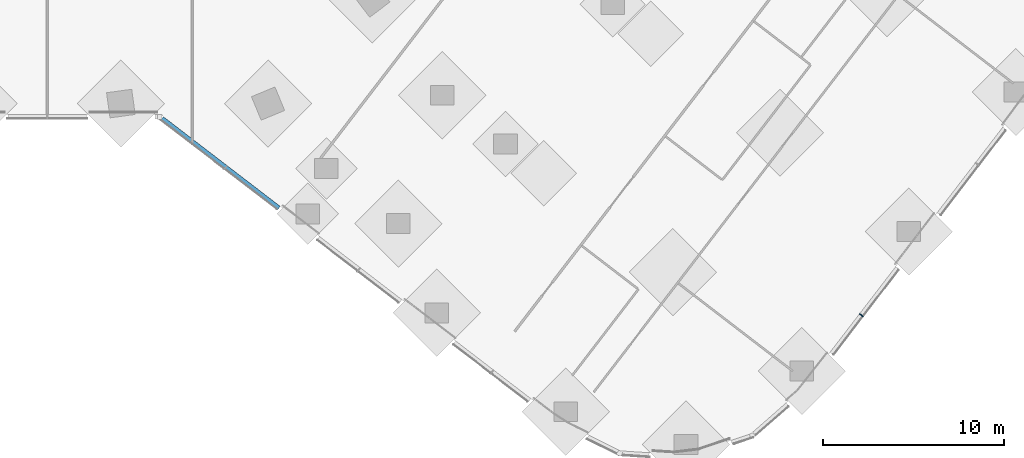
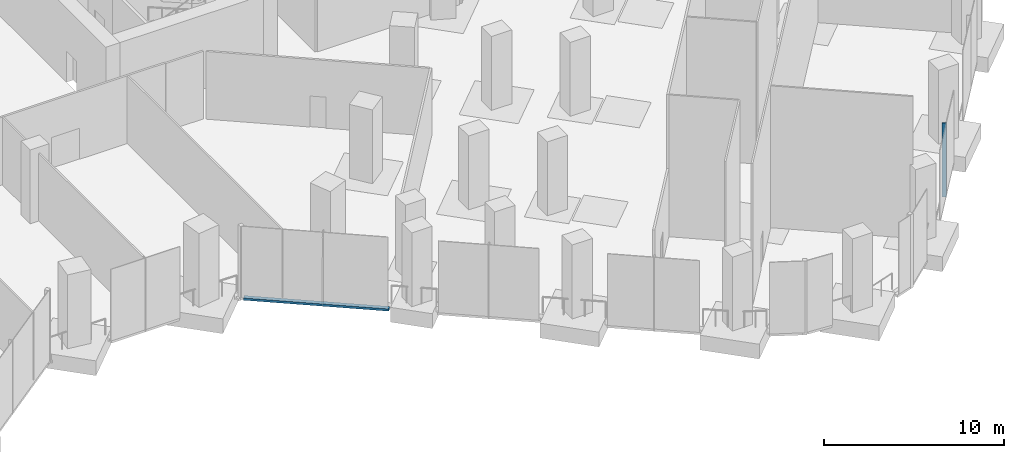
# One storey, part 7 of 27: 2 members, 2 elements without a shape of their own.
"""IFC4 building model written with IfcOpenShell, lengths in metres."""

from ifc_helpers import new_model, si_unit, direction, frame, origin, origin_2d, place, context, subcontext, project, spatial, rectangle, extrude, material, material_profile, profile_set, type_object, element, aggregate, save


model = new_model("IFC4")

# Units and contexts
model_context = context("Model", 3, precision=1e-05, world=origin(), true_north=direction((0.0, 1.0)))
body_context = subcontext(model_context, "Body", "Model", "MODEL_VIEW")
ifc_project = project(units=[si_unit("LENGTHUNIT", "METRE"), si_unit("AREAUNIT", "SQUARE_METRE"), si_unit("VOLUMEUNIT", "CUBIC_METRE"), si_unit("PLANEANGLEUNIT", "RADIAN"), si_unit("MASSUNIT", "GRAM", prefix="KILO")], contexts=[model_context])

# Site, building, storey
site_placement = place(None, origin())
site = spatial("IfcSite", under=ifc_project, at=site_placement, CompositionType="ELEMENT")
building_placement = place(site_placement, origin())
building = spatial("IfcBuilding", under=site, at=building_placement, Name="Orlundy Tower", CompositionType="ELEMENT")
storey_placement = place(building_placement, frame((0.0, 0.0, 10.5)))
storey = spatial("IfcBuildingStorey", under=building, at=storey_placement, Name="L01", CompositionType="ELEMENT", Elevation=10.5)

# Curtain wall, member
ifc_material_1 = material(Name="Aluminium bronze anodised", Category="aluminium")
curtain_wall_type = type_object("IfcCurtainWallType", Name="CW2 wall", PredefinedType="NOTDEFINED", material=ifc_material_1)
curtain_wall_1_placement = place(storey_placement, origin())
curtain_wall_1 = element("IfcCurtainWall", 1, at=curtain_wall_1_placement, inside=storey, type_object=curtain_wall_type, Name="CW2 run 023", PredefinedType="NOTDEFINED")
ifc_material_2 = material(Name="Aluminium bronze anodised", Category="aluminium")
ifc_material_profile_1 = material_profile(ifc_material_2, rectangle(XDim=0.25, YDim=0.050048828125, at=origin_2d()), Name="CW2 mullion 50x250")
ifc_profile_set_1 = profile_set([ifc_material_profile_1], Name="Aluminium bronze anodised")
member_type_1 = type_object("IfcMemberType", Name="CW2 mullion 50x250", PredefinedType="MULLION", material=ifc_profile_set_1)
member_1_placement = place(storey_placement, frame((44.901123046875, -41.071044921875, -0.39990234375), z_axis=(0.0, 0.0, 1.0), x_axis=(0.793345695949, -0.60877139118, 0.0)))
member_1 = element("IfcMember", 2, at=member_1_placement, type_object=member_type_1, Name="CW2 mullion 64", PredefinedType="MULLION", context=body_context, shape_type="SweptSolid", body=[
    extrude(rectangle(XDim=0.25, YDim=0.050048828125, at=origin_2d()), origin(), (0.0, 0.0, 1.0), 5.0),
])
aggregate(curtain_wall_1, [member_1])

curtain_wall_2_placement = place(storey_placement, origin())
curtain_wall_2 = element("IfcCurtainWall", 3, at=curtain_wall_2_placement, inside=storey, type_object=curtain_wall_type, Name="CW2 run 00", PredefinedType="NOTDEFINED")
ifc_material_3 = material(Name="Aluminium bronze anodised", Category="aluminium")
ifc_material_profile_2 = material_profile(ifc_material_3, rectangle(XDim=0.25, YDim=0.14990234375, at=origin_2d()), Name="CW2 transom 250x150")
ifc_profile_set_2 = profile_set([ifc_material_profile_2], Name="Aluminium bronze anodised")
member_type_2 = type_object("IfcMemberType", Name="CW2 transom 250x150", PredefinedType="USERDEFINED", material=ifc_profile_set_2)
member_2_placement = place(storey_placement, frame((12.7734375, -35.16845703125, -0.324951171875), z_axis=(-0.793354874565, 0.608759429499, 0.0), x_axis=(-0.608759429499, -0.793354874565, 0.0)))
member_2 = element("IfcMember", 4, at=member_2_placement, type_object=member_type_2, Name="CW2 transom", ObjectType="TRANSOM", PredefinedType="USERDEFINED", context=body_context, shape_type="SweptSolid", body=[
    extrude(rectangle(XDim=0.25, YDim=0.14990234375, at=origin_2d()), origin(), (0.0, 0.0, 1.0), 8.127197265625),
])
aggregate(curtain_wall_2, [member_2])

save(model, "model.ifc")
